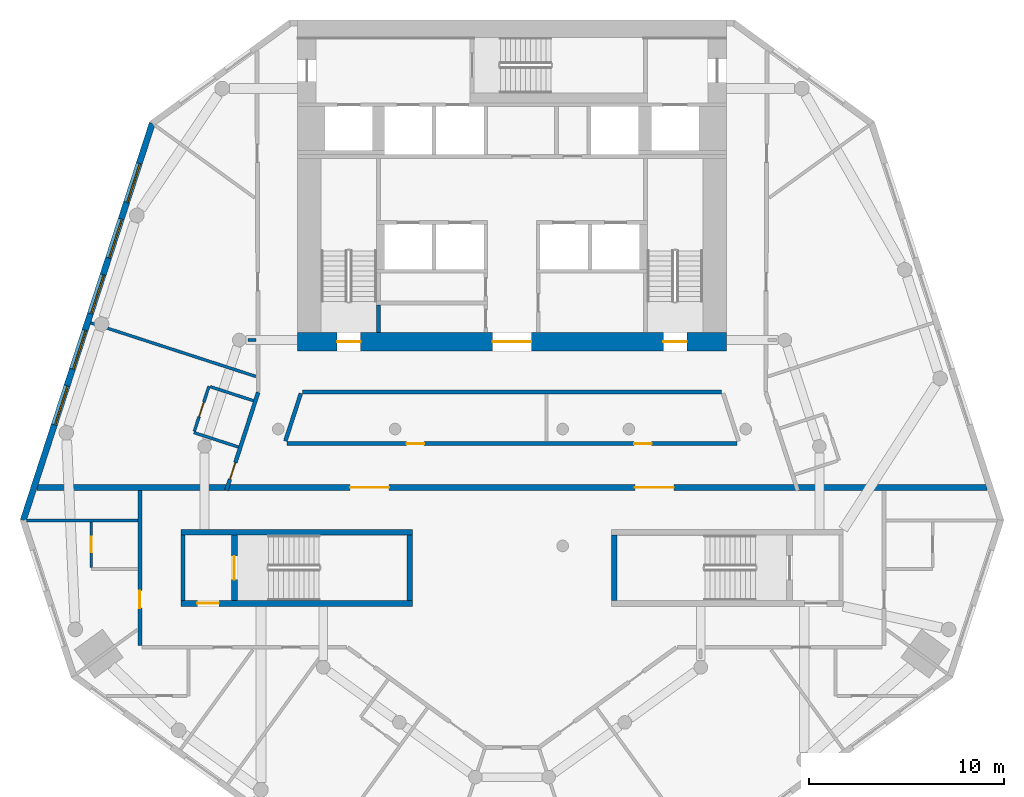
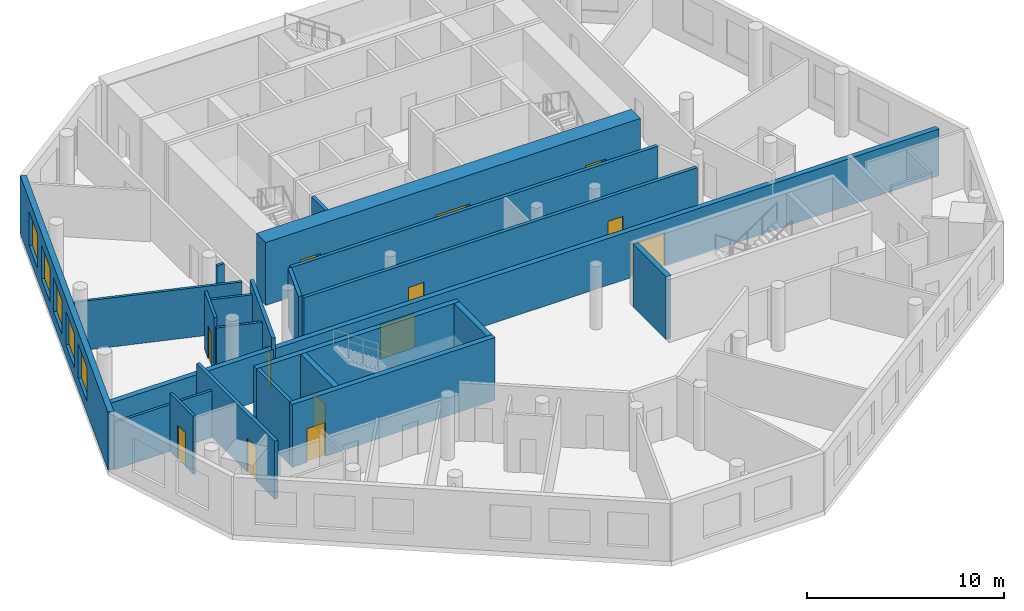
# One storey, part 3 of 9: 22 walls, 13 doors, 5 windows, 18 openings.
"""IFC4 building model written with IfcOpenShell, lengths in metres."""

from ifc_helpers import new_model, si_unit, direction, frame, frame_2d, origin, place, context, subcontext, project, spatial, rectangle, extrude, material, layer, layer_set, type_object, element, fill, save


model = new_model("IFC4")

# Units and contexts
model_context = context("Model", 3, precision=1e-05, world=origin(), true_north=direction((0.0, 1.0)))
body_context = subcontext(model_context, "Body", "Model", "MODEL_VIEW")
ifc_project = project(units=[si_unit("LENGTHUNIT", "METRE"), si_unit("AREAUNIT", "SQUARE_METRE"), si_unit("VOLUMEUNIT", "CUBIC_METRE"), si_unit("PLANEANGLEUNIT", "RADIAN"), si_unit("MASSUNIT", "GRAM", prefix="KILO")], contexts=[model_context])

# Site, building, storey
site_placement = place(None, origin())
site = spatial("IfcSite", under=ifc_project, at=site_placement, CompositionType="ELEMENT")
building_placement = place(site_placement, origin())
building = spatial("IfcBuilding", under=site, at=building_placement, Name="White Candle Pilgrim Tower", CompositionType="ELEMENT")
storey_placement = place(building_placement, frame((0.0, 0.0, 175.89990234375)))
storey = spatial("IfcBuildingStorey", under=building, at=storey_placement, Name="L40", CompositionType="ELEMENT", Elevation=175.89990234375)

# Wall
ifc_material_1 = material(Name="Concrete C60/75", Category="concrete")
ifc_layer_1 = layer(ifc_material_1, 0.199951171875)
ifc_layer_set_1 = layer_set([ifc_layer_1], Name="Core wall 200 mm Concrete C60/75")
wall_type_1 = type_object("IfcWallType", Name="Core wall 200 mm Concrete C60/75", PredefinedType="SHEAR", material=ifc_layer_set_1)
wall_1_placement = place(storey_placement, frame((53.10009765625, 58.199951171875, 0.0), z_axis=(0.0, 0.0, 1.0), x_axis=(0.0, 1.0, 0.0)))
element("IfcWall", 1, at=wall_1_placement, inside=storey, type_object=wall_type_1, Name="WL-L40-C03", PredefinedType="SHEAR", context=body_context, shape_type="SweptSolid", body=[
    extrude(rectangle(XDim=3.35009765625, YDim=0.199951171875, at=frame_2d((1.675048828125, 0.0))), origin(), (0.0, 0.0, 1.0), 3.900146484375),
])

# Wall, opening, door
ifc_material_2 = material(Name="Gypsum board on steel studs", Category="steel")
ifc_layer_2 = layer(ifc_material_2, 0.199951171875)
ifc_layer_set_2 = layer_set([ifc_layer_2], Name="Corridor wall 200 mm EI 45")
wall_type_2 = type_object("IfcWallType", Name="Corridor wall 200 mm EI 45", PredefinedType="PARTITIONING", material=ifc_layer_set_2)
wall_2_placement = place(storey_placement, frame((55.334716796875, 63.85009765625, 0.0), z_axis=(0.0, 0.0, 1.0), x_axis=(0.308996388153, 0.951063211416, 0.0)))
wall_2 = element("IfcWall", 2, at=wall_2_placement, inside=storey, type_object=wall_type_2, Name="WL-L40-P002", PredefinedType="PARTITIONING", context=body_context, shape_type="SweptSolid", body=[
    extrude(rectangle(XDim=5.293701171875, YDim=0.199951171875, at=frame_2d((2.64697265625, 0.0))), origin(), (0.0, 0.0, 1.0), 3.60009765625),
])
opening_1_placement = place(wall_2_placement, frame((0.60009765625, 0.0, 0.0)))
opening_1 = element("IfcOpeningElement", 3, at=opening_1_placement, cuts=wall_2, Name="Opening T12-122", PredefinedType="OPENING", context=body_context, shape_type="SweptSolid", body=[
    extrude(rectangle(XDim=0.89990234375, YDim=2.10009765625, at=frame_2d((0.449951171875, 1.050048828125))), frame((0.0, 0.10986328125, 0.0), z_axis=(0.0, -1.0, 0.0), x_axis=(1.0, 0.0, 0.0)), (0.0, 0.0, 1.0), 0.219970703125),
])
ifc_material_3 = material(Name="Steel door leaf", Category="steel")
door_type_1 = type_object("IfcDoorType", Name="Fire door 900 x 2100 EI 30", OperationType="NOTDEFINED", PredefinedType="DOOR", material=ifc_material_3)
door_1_placement = place(opening_1_placement, origin())
door_1 = element("IfcDoor", 4, at=door_1_placement, inside=storey, type_object=door_type_1, Name="Door T12-122", OperationType="SINGLE_SWING_RIGHT", OverallHeight=2.10009765625, OverallWidth=0.89990234375, PredefinedType="DOOR", context=body_context, shape_type="SweptSolid", body=[
    extrude(rectangle(XDim=0.89990234375, YDim=2.10009765625, at=frame_2d((0.449951171875, 1.050048828125))), frame((0.0, 0.02490234375, 0.0), z_axis=(0.0, -1.0, 0.0), x_axis=(1.0, 0.0, 0.0)), (0.0, 0.0, 1.0), 0.050048828125),
])
fill(opening_1, door_1)

wall_3_placement = place(storey_placement, frame((50.89990234375, 55.89990234375, 0.0), z_axis=(0.0, 0.0, 1.0), x_axis=(0.0, 1.0, 0.0)))
wall_3 = element("IfcWall", 5, at=wall_3_placement, inside=storey, type_object=wall_type_2, Name="WL-L40-P012", PredefinedType="PARTITIONING", context=body_context, shape_type="SweptSolid", body=[
    extrude(rectangle(XDim=7.9501953125, YDim=0.199951171875, at=frame_2d((3.97509765625, 0.0))), origin(), (0.0, 0.0, 1.0), 3.60009765625),
])
opening_2_placement = place(wall_3_placement, frame((1.90478515625, 0.0, 0.0)))
opening_2 = element("IfcOpeningElement", 6, at=opening_2_placement, cuts=wall_3, Name="Opening T12-103", PredefinedType="OPENING", context=body_context, shape_type="SweptSolid", body=[
    extrude(rectangle(XDim=0.89990234375, YDim=2.10009765625, at=frame_2d((0.449951171875, 1.050048828125))), frame((0.0, 0.10986328125, 0.0), z_axis=(0.0, -1.0, 0.0), x_axis=(1.0, 0.0, 0.0)), (0.0, 0.0, 1.0), 0.219970703125),
])
door_2_placement = place(opening_2_placement, origin())
door_2 = element("IfcDoor", 7, at=door_2_placement, inside=storey, type_object=door_type_1, Name="Door T12-103", OperationType="SINGLE_SWING_LEFT", OverallHeight=2.10009765625, OverallWidth=0.89990234375, PredefinedType="DOOR", context=body_context, shape_type="SweptSolid", body=[
    extrude(rectangle(XDim=0.89990234375, YDim=2.10009765625, at=frame_2d((0.449951171875, 1.050048828125))), frame((0.0, 0.02490234375, 0.0), z_axis=(0.0, -1.0, 0.0), x_axis=(1.0, 0.0, 0.0)), (0.0, 0.0, 1.0), 0.050048828125),
])
fill(opening_2, door_2)

# Wall
wall_4_placement = place(storey_placement, frame((59.1611328125, 68.830810546875, 0.0), z_axis=(0.0, 0.0, 1.0), x_axis=(-0.309053927645, -0.951044515155, 0.0)))
element("IfcWall", 8, at=wall_4_placement, inside=storey, type_object=wall_type_2, Name="WL-L40-P013", PredefinedType="PARTITIONING", context=body_context, shape_type="SweptSolid", body=[
    extrude(rectangle(XDim=2.576171875, YDim=0.199951171875, at=frame_2d((1.2880859375, 0.0))), origin(), (0.0, 0.0, 1.0), 3.60009765625),
])

# Wall, openings, doors
wall_5_placement = place(storey_placement, frame((58.460205078125, 66.25, 0.0), z_axis=(0.0, 0.0, 1.0), x_axis=(1.0, 0.0, 0.0)))
wall_5 = element("IfcWall", 9, at=wall_5_placement, inside=storey, type_object=wall_type_2, Name="WL-L40-P014", PredefinedType="PARTITIONING", context=body_context, shape_type="SweptSolid", body=[
    extrude(rectangle(XDim=23.07958984375, YDim=0.199951171875, at=frame_2d((11.539794921875, 0.0))), origin(), (0.0, 0.0, 1.0), 3.60009765625),
])
opening_3_placement = place(wall_5_placement, frame((6.131591796875, 0.0, 0.0)))
opening_3 = element("IfcOpeningElement", 10, at=opening_3_placement, cuts=wall_5, Name="Opening T12-120", PredefinedType="OPENING", context=body_context, shape_type="SweptSolid", body=[
    extrude(rectangle(XDim=0.89990234375, YDim=2.10009765625, at=frame_2d((0.449951171875, 1.050048828125))), frame((0.0, 0.10986328125, 0.0), z_axis=(0.0, -1.0, 0.0), x_axis=(1.0, 0.0, 0.0)), (0.0, 0.0, 1.0), 0.219970703125),
])
opening_4_placement = place(wall_5_placement, frame((17.80908203125, 0.0, 0.0)))
opening_4 = element("IfcOpeningElement", 11, at=opening_4_placement, cuts=wall_5, Name="Opening T12-121", PredefinedType="OPENING", context=body_context, shape_type="SweptSolid", body=[
    extrude(rectangle(XDim=0.89990234375, YDim=2.10009765625, at=frame_2d((0.449951171875, 1.050048828125))), frame((0.0, 0.10986328125, 0.0), z_axis=(0.0, -1.0, 0.0), x_axis=(1.0, 0.0, 0.0)), (0.0, 0.0, 1.0), 0.219970703125),
])
door_3_placement = place(opening_3_placement, origin())
door_3 = element("IfcDoor", 12, at=door_3_placement, inside=storey, type_object=door_type_1, Name="Door T12-120", OperationType="SINGLE_SWING_RIGHT", OverallHeight=2.10009765625, OverallWidth=0.89990234375, PredefinedType="DOOR", context=body_context, shape_type="SweptSolid", body=[
    extrude(rectangle(XDim=0.89990234375, YDim=2.10009765625, at=frame_2d((0.449951171875, 1.050048828125))), frame((0.0, 0.02490234375, 0.0), z_axis=(0.0, -1.0, 0.0), x_axis=(1.0, 0.0, 0.0)), (0.0, 0.0, 1.0), 0.050048828125),
])
fill(opening_3, door_3)
door_4_placement = place(opening_4_placement, origin())
door_4 = element("IfcDoor", 13, at=door_4_placement, inside=storey, type_object=door_type_1, Name="Door T12-121", OperationType="SINGLE_SWING_RIGHT", OverallHeight=2.10009765625, OverallWidth=0.89990234375, PredefinedType="DOOR", context=body_context, shape_type="SweptSolid", body=[
    extrude(rectangle(XDim=0.89990234375, YDim=2.10009765625, at=frame_2d((0.449951171875, 1.050048828125))), frame((0.0, 0.02490234375, 0.0), z_axis=(0.0, -1.0, 0.0), x_axis=(1.0, 0.0, 0.0)), (0.0, 0.0, 1.0), 0.050048828125),
])
fill(opening_4, door_4)

# Wall
wall_6_placement = place(storey_placement, frame((80.743896484375, 68.89990234375, 0.0), z_axis=(0.0, 0.0, 1.0), x_axis=(-1.0, 0.0, 0.0)))
element("IfcWall", 14, at=wall_6_placement, inside=storey, type_object=wall_type_2, Name="WL-L40-P016", PredefinedType="PARTITIONING", context=body_context, shape_type="SweptSolid", body=[
    extrude(rectangle(XDim=21.48779296875, YDim=0.199951171875, at=frame_2d((10.743896484375, 0.0))), origin(), (0.0, 0.0, 1.0), 3.60009765625),
])

# Wall, openings, windows
ifc_material_4 = material(Name="Precast concrete C40/50", Category="concrete")
ifc_layer_3 = layer(ifc_material_4, 0.320068359375)
ifc_layer_set_3 = layer_set([ifc_layer_3], Name="Facade wall EW1 precast concrete C40/50 pier wall with timber-lined reveals")
wall_type_3 = type_object("IfcWallType", Name="Facade wall EW1 precast concrete C40/50 pier wall with timber-lined reveals", PredefinedType="SOLIDWALL", material=ifc_layer_set_3)
wall_7_placement = place(storey_placement, frame((51.531494140625, 82.693603515625, 0.0), z_axis=(0.0, 0.0, 1.0), x_axis=(-0.309016769675, -0.951056589304, 0.0)))
wall_7 = element("IfcWall", 15, at=wall_7_placement, inside=storey, type_object=wall_type_3, Name="Facade wall L40 WNW", PredefinedType="SOLIDWALL", context=body_context, shape_type="SweptSolid", body=[
    extrude(rectangle(XDim=21.427978515625, YDim=0.320068359375, at=frame_2d((10.7138671875, 0.0))), origin(), (0.0, 0.0, 1.0), 3.60009765625),
])
opening_5_placement = place(wall_7_placement, frame((2.163818359375, 0.0, 0.75)))
opening_5 = element("IfcOpeningElement", 16, at=opening_5_placement, cuts=wall_7, Name="Opening W3", PredefinedType="OPENING", context=body_context, shape_type="SweptSolid", body=[
    extrude(rectangle(XDim=2.10009765625, YDim=2.10009765625, at=frame_2d((1.050048828125, 1.050048828125))), frame((0.0, 0.169921875, 0.0), z_axis=(0.0, -1.0, 0.0), x_axis=(1.0, 0.0, 0.0)), (0.0, 0.0, 1.0), 0.340087890625),
])
opening_6_placement = place(wall_7_placement, frame((5.163818359375, 0.0, 0.75)))
opening_6 = element("IfcOpeningElement", 17, at=opening_6_placement, cuts=wall_7, Name="Opening W3", PredefinedType="OPENING", context=body_context, shape_type="SweptSolid", body=[
    extrude(rectangle(XDim=2.10009765625, YDim=2.10009765625, at=frame_2d((1.050048828125, 1.050048828125))), frame((0.0, 0.169921875, 0.0), z_axis=(0.0, -1.0, 0.0), x_axis=(1.0, 0.0, 0.0)), (0.0, 0.0, 1.0), 0.340087890625),
])
opening_7_placement = place(wall_7_placement, frame((8.163818359375, 0.0, 0.75)))
opening_7 = element("IfcOpeningElement", 18, at=opening_7_placement, cuts=wall_7, Name="Opening W3", PredefinedType="OPENING", context=body_context, shape_type="SweptSolid", body=[
    extrude(rectangle(XDim=2.10009765625, YDim=2.10009765625, at=frame_2d((1.050048828125, 1.050048828125))), frame((0.0, 0.169921875, 0.0), z_axis=(0.0, -1.0, 0.0), x_axis=(1.0, 0.0, 0.0)), (0.0, 0.0, 1.0), 0.340087890625),
])
opening_8_placement = place(wall_7_placement, frame((11.163818359375, 0.0, 0.75)))
opening_8 = element("IfcOpeningElement", 19, at=opening_8_placement, cuts=wall_7, Name="Opening W3", PredefinedType="OPENING", context=body_context, shape_type="SweptSolid", body=[
    extrude(rectangle(XDim=2.10009765625, YDim=2.10009765625, at=frame_2d((1.050048828125, 1.050048828125))), frame((0.0, 0.169921875, 0.0), z_axis=(0.0, -1.0, 0.0), x_axis=(1.0, 0.0, 0.0)), (0.0, 0.0, 1.0), 0.340087890625),
])
opening_9_placement = place(wall_7_placement, frame((14.163818359375, 0.0, 0.75)))
opening_9 = element("IfcOpeningElement", 20, at=opening_9_placement, cuts=wall_7, Name="Opening W3", PredefinedType="OPENING", context=body_context, shape_type="SweptSolid", body=[
    extrude(rectangle(XDim=2.10009765625, YDim=2.10009765625, at=frame_2d((1.050048828125, 1.050048828125))), frame((0.0, 0.169921875, 0.0), z_axis=(0.0, -1.0, 0.0), x_axis=(1.0, 0.0, 0.0)), (0.0, 0.0, 1.0), 0.340087890625),
])
ifc_material_5 = material(Name="Timber frame with triple glazing", Category="wood")
window_type = type_object("IfcWindowType", Name="Window W3 2100x2100 timber frame triple glazing", PartitioningType="SINGLE_PANEL", PredefinedType="WINDOW", material=ifc_material_5)
window_1_placement = place(opening_5_placement, origin())
window_1 = element("IfcWindow", 21, at=window_1_placement, inside=storey, type_object=window_type, Name="Window W3 L40 WNW 1", OverallHeight=2.10009765625, OverallWidth=2.10009765625, PartitioningType="SINGLE_PANEL", PredefinedType="WINDOW", context=body_context, shape_type="SweptSolid", body=[
    extrude(rectangle(XDim=2.10009765625, YDim=2.10009765625, at=frame_2d((1.050048828125, 1.050048828125))), frame((0.0, 0.070068359375, 0.0), z_axis=(0.0, -1.0, 0.0), x_axis=(1.0, 0.0, 0.0)), (0.0, 0.0, 1.0), 0.06005859375),
])
fill(opening_5, window_1)
window_2_placement = place(opening_6_placement, origin())
window_2 = element("IfcWindow", 22, at=window_2_placement, inside=storey, type_object=window_type, Name="Window W3 L40 WNW 2", OverallHeight=2.10009765625, OverallWidth=2.10009765625, PartitioningType="SINGLE_PANEL", PredefinedType="WINDOW", context=body_context, shape_type="SweptSolid", body=[
    extrude(rectangle(XDim=2.10009765625, YDim=2.10009765625, at=frame_2d((1.050048828125, 1.050048828125))), frame((0.0, 0.070068359375, 0.0), z_axis=(0.0, -1.0, 0.0), x_axis=(1.0, 0.0, 0.0)), (0.0, 0.0, 1.0), 0.06005859375),
])
fill(opening_6, window_2)
window_3_placement = place(opening_7_placement, origin())
window_3 = element("IfcWindow", 23, at=window_3_placement, inside=storey, type_object=window_type, Name="Window W3 L40 WNW 3", OverallHeight=2.10009765625, OverallWidth=2.10009765625, PartitioningType="SINGLE_PANEL", PredefinedType="WINDOW", context=body_context, shape_type="SweptSolid", body=[
    extrude(rectangle(XDim=2.10009765625, YDim=2.10009765625, at=frame_2d((1.050048828125, 1.050048828125))), frame((0.0, 0.070068359375, 0.0), z_axis=(0.0, -1.0, 0.0), x_axis=(1.0, 0.0, 0.0)), (0.0, 0.0, 1.0), 0.06005859375),
])
fill(opening_7, window_3)
window_4_placement = place(opening_8_placement, origin())
window_4 = element("IfcWindow", 24, at=window_4_placement, inside=storey, type_object=window_type, Name="Window W3 L40 WNW 4", OverallHeight=2.10009765625, OverallWidth=2.10009765625, PartitioningType="SINGLE_PANEL", PredefinedType="WINDOW", context=body_context, shape_type="SweptSolid", body=[
    extrude(rectangle(XDim=2.10009765625, YDim=2.10009765625, at=frame_2d((1.050048828125, 1.050048828125))), frame((0.0, 0.070068359375, 0.0), z_axis=(0.0, -1.0, 0.0), x_axis=(1.0, 0.0, 0.0)), (0.0, 0.0, 1.0), 0.06005859375),
])
fill(opening_8, window_4)
window_5_placement = place(opening_9_placement, origin())
window_5 = element("IfcWindow", 25, at=window_5_placement, inside=storey, type_object=window_type, Name="Window W3 L40 WNW 5", OverallHeight=2.10009765625, OverallWidth=2.10009765625, PartitioningType="SINGLE_PANEL", PredefinedType="WINDOW", context=body_context, shape_type="SweptSolid", body=[
    extrude(rectangle(XDim=2.10009765625, YDim=2.10009765625, at=frame_2d((1.050048828125, 1.050048828125))), frame((0.0, 0.070068359375, 0.0), z_axis=(0.0, -1.0, 0.0), x_axis=(1.0, 0.0, 0.0)), (0.0, 0.0, 1.0), 0.06005859375),
])
fill(opening_9, window_5)

# Wall, openings, doors
ifc_material_6 = material(Name="Aerated concrete block", Category="concrete")
ifc_layer_4 = layer(ifc_material_6, 0.300048828125)
ifc_layer_set_4 = layer_set([ifc_layer_4], Name="Fire wall 300 mm REI 240")
wall_type_4 = type_object("IfcWallType", Name="Fire wall 300 mm REI 240", PredefinedType="PARTITIONING", material=ifc_layer_set_4)
wall_8_placement = place(storey_placement, frame((45.625732421875, 64.0, 0.0), z_axis=(0.0, 0.0, 1.0), x_axis=(1.0, 0.0, 0.0)))
wall_8 = element("IfcWall", 26, at=wall_8_placement, inside=storey, type_object=wall_type_4, Name="WL-L40-P001", PredefinedType="PARTITIONING", context=body_context, shape_type="SweptSolid", body=[
    extrude(rectangle(XDim=48.74853515625, YDim=0.300048828125, at=frame_2d((24.374267578125, 0.0))), origin(), (0.0, 0.0, 1.0), 2.900146484375),
])
opening_10_placement = place(wall_8_placement, frame((16.06591796875, 0.0, 0.0)))
opening_10 = element("IfcOpeningElement", 27, at=opening_10_placement, cuts=wall_8, Name="Opening T12-118", PredefinedType="OPENING", context=body_context, shape_type="SweptSolid", body=[
    extrude(rectangle(XDim=2.0, YDim=2.10009765625, at=frame_2d((1.0, 1.050048828125))), frame((0.0, 0.159912109375, 0.0), z_axis=(0.0, -1.0, 0.0), x_axis=(1.0, 0.0, 0.0)), (0.0, 0.0, 1.0), 0.320068359375),
])
opening_11_placement = place(wall_8_placement, frame((30.6826171875, 0.0, 0.0)))
opening_11 = element("IfcOpeningElement", 28, at=opening_11_placement, cuts=wall_8, Name="Opening T12-119", PredefinedType="OPENING", context=body_context, shape_type="SweptSolid", body=[
    extrude(rectangle(XDim=2.0, YDim=2.10009765625, at=frame_2d((1.0, 1.050048828125))), frame((0.0, 0.159912109375, 0.0), z_axis=(0.0, -1.0, 0.0), x_axis=(1.0, 0.0, 0.0)), (0.0, 0.0, 1.0), 0.320068359375),
])
door_type_2 = type_object("IfcDoorType", Name="Fire door 2000 x 2100 EI 60", OperationType="NOTDEFINED", PredefinedType="DOOR", material=ifc_material_3)
door_5_placement = place(opening_10_placement, origin())
door_5 = element("IfcDoor", 29, at=door_5_placement, inside=storey, type_object=door_type_2, Name="Door T12-118", OperationType="DOUBLE_DOOR_SINGLE_SWING", OverallHeight=2.10009765625, OverallWidth=2.0, PredefinedType="DOOR", context=body_context, shape_type="SweptSolid", body=[
    extrude(rectangle(XDim=2.0, YDim=2.10009765625, at=frame_2d((1.0, 1.050048828125))), frame((0.0, 0.02490234375, 0.0), z_axis=(0.0, -1.0, 0.0), x_axis=(1.0, 0.0, 0.0)), (0.0, 0.0, 1.0), 0.050048828125),
])
fill(opening_10, door_5)
door_6_placement = place(opening_11_placement, origin())
door_6 = element("IfcDoor", 30, at=door_6_placement, inside=storey, type_object=door_type_2, Name="Door T12-119", OperationType="DOUBLE_DOOR_SINGLE_SWING", OverallHeight=2.10009765625, OverallWidth=2.0, PredefinedType="DOOR", context=body_context, shape_type="SweptSolid", body=[
    extrude(rectangle(XDim=2.0, YDim=2.10009765625, at=frame_2d((1.0, 1.050048828125))), frame((0.0, 0.02490234375, 0.0), z_axis=(0.0, -1.0, 0.0), x_axis=(1.0, 0.0, 0.0)), (0.0, 0.0, 1.0), 0.050048828125),
])
fill(opening_11, door_6)

# Walls
ifc_layer_5 = layer(ifc_material_2, 0.14990234375)
ifc_layer_set_5 = layer_set([ifc_layer_5], Name="Partition 150 mm EI 60")
wall_type_5 = type_object("IfcWallType", Name="Partition 150 mm EI 60", PredefinedType="PARTITIONING", material=ifc_layer_set_5)
wall_9_placement = place(storey_placement, frame((45.078125, 62.314453125, 0.0), z_axis=(0.0, 0.0, 1.0), x_axis=(1.0, 0.0, 0.0)))
element("IfcWall", 31, at=wall_9_placement, inside=storey, type_object=wall_type_5, Name="WL-L40-P018", PredefinedType="PARTITIONING", context=body_context, shape_type="SweptSolid", body=[
    extrude(rectangle(XDim=5.721923828125, YDim=0.14990234375, at=frame_2d((2.86083984375, 0.0))), origin(), (0.0, 0.0, 1.0), 2.900146484375),
])
wall_10_placement = place(storey_placement, frame((48.372802734375, 72.45458984375, 0.0), z_axis=(0.0, 0.0, 1.0), x_axis=(0.951055809184, -0.30901917063, 0.0)))
element("IfcWall", 32, at=wall_10_placement, inside=storey, type_object=wall_type_5, Name="WL-L40-P025", PredefinedType="PARTITIONING", context=body_context, shape_type="SweptSolid", body=[
    extrude(rectangle(XDim=8.911865234375, YDim=0.14990234375, at=frame_2d((4.4560546875, 0.0))), origin(), (0.0, 0.0, 1.0), 3.050048828125),
])
wall_11_placement = place(storey_placement, frame((55.953369140625, 66.07763671875, 0.0), z_axis=(0.0, 0.0, 1.0), x_axis=(-0.951046776628, 0.309046968381, 0.0)))
element("IfcWall", 33, at=wall_11_placement, inside=storey, type_object=wall_type_5, Name="WL-L40-P026", PredefinedType="PARTITIONING", context=body_context, shape_type="SweptSolid", body=[
    extrude(rectangle(XDim=2.39990234375, YDim=0.14990234375, at=frame_2d((1.199951171875, 0.0))), origin(), (0.0, 0.0, 1.0), 3.050048828125),
])

# Wall, opening, door
wall_12_placement = place(storey_placement, frame((54.443359375, 69.197021484375, 0.0), z_axis=(0.0, 0.0, 1.0), x_axis=(-0.308969972841, -0.951071793233, 0.0)))
wall_12 = element("IfcWall", 34, at=wall_12_placement, inside=storey, type_object=wall_type_5, Name="WL-L40-P027", PredefinedType="PARTITIONING", context=body_context, shape_type="SweptSolid", body=[
    extrude(rectangle(XDim=2.425048828125, YDim=0.14990234375, at=frame_2d((1.21240234375, 0.0))), origin(), (0.0, 0.0, 1.0), 3.60009765625),
])
opening_12_placement = place(wall_12_placement, frame((0.85009765625, 0.0, 0.0)))
opening_12 = element("IfcOpeningElement", 35, at=opening_12_placement, cuts=wall_12, Name="Opening T12-101", PredefinedType="OPENING", context=body_context, shape_type="SweptSolid", body=[
    extrude(rectangle(XDim=0.800048828125, YDim=2.10009765625, at=frame_2d((0.39990234375, 1.050048828125))), frame((0.0, 0.0849609375, 0.0), z_axis=(0.0, -1.0, 0.0), x_axis=(1.0, 0.0, 0.0)), (0.0, 0.0, 1.0), 0.169921875),
])
door_type_3 = type_object("IfcDoorType", Name="Fire door 800 x 2100 EI 30", OperationType="NOTDEFINED", PredefinedType="DOOR", material=ifc_material_3)
door_7_placement = place(opening_12_placement, frame((0.800048828125, 0.0, 0.0), z_axis=(0.0, 0.0, 1.0), x_axis=(-1.0, 0.0, 0.0)))
door_7 = element("IfcDoor", 36, at=door_7_placement, inside=storey, type_object=door_type_3, Name="Door T12-101", OperationType="SINGLE_SWING_RIGHT", OverallHeight=2.10009765625, OverallWidth=0.800048828125, PredefinedType="DOOR", context=body_context, shape_type="SweptSolid", body=[
    extrude(rectangle(XDim=0.800048828125, YDim=2.10009765625, at=frame_2d((0.39990234375, 1.050048828125))), frame((0.0, 0.02490234375, 0.0), z_axis=(0.0, -1.0, 0.0), x_axis=(1.0, 0.0, 0.0)), (0.0, 0.0, 1.0), 0.050048828125),
])
fill(opening_12, door_7)

# Wall
wall_13_placement = place(storey_placement, frame((56.725830078125, 68.455322265625, 0.0), z_axis=(0.0, 0.0, 1.0), x_axis=(-0.951050272606, 0.309036209813, 0.0)))
element("IfcWall", 37, at=wall_13_placement, inside=storey, type_object=wall_type_5, Name="WL-L40-P028", PredefinedType="PARTITIONING", context=body_context, shape_type="SweptSolid", body=[
    extrude(rectangle(XDim=2.324951171875, YDim=0.14990234375, at=frame_2d((1.16259765625, 0.0))), origin(), (0.0, 0.0, 1.0), 3.050048828125),
])

# Wall, opening, door
wall_14_placement = place(storey_placement, frame((48.39990234375, 62.239501953125, 0.0), z_axis=(0.0, 0.0, 1.0), x_axis=(0.0, -1.0, 0.0)))
wall_14 = element("IfcWall", 38, at=wall_14_placement, inside=storey, type_object=wall_type_5, Name="WL-L40-P030", PredefinedType="PARTITIONING", context=body_context, shape_type="SweptSolid", body=[
    extrude(rectangle(XDim=2.35009765625, YDim=0.14990234375, at=frame_2d((1.175048828125, 0.0))), origin(), (0.0, 0.0, 1.0), 3.60009765625),
])
opening_13_placement = place(wall_14_placement, frame((0.77490234375, 0.0, 0.0)))
opening_13 = element("IfcOpeningElement", 39, at=opening_13_placement, cuts=wall_14, Name="Opening T12-102", PredefinedType="OPENING", context=body_context, shape_type="SweptSolid", body=[
    extrude(rectangle(XDim=0.800048828125, YDim=2.10009765625, at=frame_2d((0.39990234375, 1.050048828125))), frame((0.0, 0.0849609375, 0.0), z_axis=(0.0, -1.0, 0.0), x_axis=(1.0, 0.0, 0.0)), (0.0, 0.0, 1.0), 0.169921875),
])
door_8_placement = place(opening_13_placement, frame((0.800048828125, 0.0, 0.0), z_axis=(0.0, 0.0, 1.0), x_axis=(-1.0, 0.0, 0.0)))
door_8 = element("IfcDoor", 40, at=door_8_placement, inside=storey, type_object=door_type_3, Name="Door T12-102", OperationType="SINGLE_SWING_LEFT", OverallHeight=2.10009765625, OverallWidth=0.800048828125, PredefinedType="DOOR", context=body_context, shape_type="SweptSolid", body=[
    extrude(rectangle(XDim=0.800048828125, YDim=2.10009765625, at=frame_2d((0.39990234375, 1.050048828125))), frame((0.0, 0.02490234375, 0.0), z_axis=(0.0, -1.0, 0.0), x_axis=(1.0, 0.0, 0.0)), (0.0, 0.0, 1.0), 0.050048828125),
])
fill(opening_13, door_8)

# Walls
wall_15_placement = place(storey_placement, frame((56.43994140625, 71.572509765625, 0.0), z_axis=(0.0, 0.0, 1.0), x_axis=(0.999991879904, 0.004029903949, 0.0)))
element("IfcWall", 41, at=wall_15_placement, inside=storey, type_object=wall_type_5, Name="WL-L40-P054", PredefinedType="PARTITIONING", context=body_context, shape_type="SweptSolid", body=[
    extrude(rectangle(XDim=0.424072265625, YDim=0.14990234375, at=frame_2d((0.2119140625, 0.0))), origin(), (0.0, 0.0, 1.0), 3.050048828125),
])
ifc_layer_6 = layer(ifc_material_1, 0.199951171875)
ifc_layer_set_6 = layer_set([ifc_layer_6], Name="Stair shaft wall 200 mm Concrete C60/75")
wall_type_6 = type_object("IfcWallType", Name="Stair shaft wall 200 mm Concrete C60/75", PredefinedType="SHEAR", material=ifc_layer_set_6)
wall_16_placement = place(storey_placement, frame((63.14990234375, 71.949951171875, 0.0), z_axis=(0.0, 0.0, 1.0), x_axis=(0.0, 1.0, 0.0)))
element("IfcWall", 42, at=wall_16_placement, inside=storey, type_object=wall_type_6, Name="WL-L40-C13", PredefinedType="SHEAR", context=body_context, shape_type="SweptSolid", body=[
    extrude(rectangle(XDim=1.425048828125, YDim=0.199951171875, at=frame_2d((0.71240234375, 0.0))), origin(), (0.0, 0.0, 1.0), 3.900146484375),
])

# Wall, opening, door
ifc_layer_7 = layer(ifc_material_1, 0.300048828125)
ifc_layer_set_7 = layer_set([ifc_layer_7], Name="Stair shaft wall 300 mm Concrete C60/75")
wall_type_7 = type_object("IfcWallType", Name="Stair shaft wall 300 mm Concrete C60/75", PredefinedType="SHEAR", material=ifc_layer_set_7)
wall_17_placement = place(storey_placement, frame((53.0, 58.050048828125, 0.0), z_axis=(0.0, 0.0, 1.0), x_axis=(1.0, 0.0, 0.0)))
wall_17 = element("IfcWall", 43, at=wall_17_placement, inside=storey, type_object=wall_type_7, Name="WL-L40-C01", PredefinedType="SHEAR", context=body_context, shape_type="SweptSolid", body=[
    extrude(rectangle(XDim=11.89990234375, YDim=0.300048828125, at=frame_2d((5.949951171875, 0.0))), origin(), (0.0, 0.0, 1.0), 3.900146484375),
])
opening_14_placement = place(wall_17_placement, frame((0.85009765625, 0.0, 0.0)))
opening_14 = element("IfcOpeningElement", 44, at=opening_14_placement, cuts=wall_17, Name="Opening T12-010", PredefinedType="OPENING", context=body_context, shape_type="SweptSolid", body=[
    extrude(rectangle(XDim=1.10009765625, YDim=2.10009765625, at=frame_2d((0.550048828125, 1.050048828125))), frame((0.0, 0.159912109375, 0.0), z_axis=(0.0, -1.0, 0.0), x_axis=(1.0, 0.0, 0.0)), (0.0, 0.0, 1.0), 0.320068359375),
])
door_type_4 = type_object("IfcDoorType", Name="Fire door 1100 x 2100 EI 60", OperationType="NOTDEFINED", PredefinedType="DOOR", material=ifc_material_3)
door_9_placement = place(opening_14_placement, origin())
door_9 = element("IfcDoor", 45, at=door_9_placement, inside=storey, type_object=door_type_4, Name="Door T12-010", OperationType="SINGLE_SWING_RIGHT", OverallHeight=2.10009765625, OverallWidth=1.10009765625, PredefinedType="DOOR", context=body_context, shape_type="SweptSolid", body=[
    extrude(rectangle(XDim=1.10009765625, YDim=2.10009765625, at=frame_2d((0.550048828125, 1.050048828125))), frame((0.0, 0.02490234375, 0.0), z_axis=(0.0, -1.0, 0.0), x_axis=(1.0, 0.0, 0.0)), (0.0, 0.0, 1.0), 0.050048828125),
])
fill(opening_14, door_9)

wall_18_placement = place(storey_placement, frame((55.75, 58.199951171875, 0.0), z_axis=(0.0, 0.0, 1.0), x_axis=(0.0, 1.0, 0.0)))
wall_18 = element("IfcWall", 46, at=wall_18_placement, inside=storey, type_object=wall_type_7, Name="WL-L40-C04", PredefinedType="SHEAR", context=body_context, shape_type="SweptSolid", body=[
    extrude(rectangle(XDim=3.35009765625, YDim=0.300048828125, at=frame_2d((1.675048828125, 0.0))), origin(), (0.0, 0.0, 1.0), 3.900146484375),
])
opening_15_placement = place(wall_18_placement, frame((1.074951171875, 0.0, 0.0)))
opening_15 = element("IfcOpeningElement", 47, at=opening_15_placement, cuts=wall_18, Name="Opening T12-011", PredefinedType="OPENING", context=body_context, shape_type="SweptSolid", body=[
    extrude(rectangle(XDim=1.199951171875, YDim=2.10009765625, at=frame_2d((0.60009765625, 1.050048828125))), frame((0.0, 0.159912109375, 0.0), z_axis=(0.0, -1.0, 0.0), x_axis=(1.0, 0.0, 0.0)), (0.0, 0.0, 1.0), 0.320068359375),
])
door_type_5 = type_object("IfcDoorType", Name="Fire door 1200 x 2100 EI 60", OperationType="NOTDEFINED", PredefinedType="DOOR", material=ifc_material_3)
door_10_placement = place(opening_15_placement, frame((1.199951171875, 0.0, 0.0), z_axis=(0.0, 0.0, 1.0), x_axis=(-1.0, 0.0, 0.0)))
door_10 = element("IfcDoor", 48, at=door_10_placement, inside=storey, type_object=door_type_5, Name="Door T12-011", OperationType="SINGLE_SWING_RIGHT", OverallHeight=2.10009765625, OverallWidth=1.199951171875, PredefinedType="DOOR", context=body_context, shape_type="SweptSolid", body=[
    extrude(rectangle(XDim=1.199951171875, YDim=2.10009765625, at=frame_2d((0.60009765625, 1.050048828125))), frame((0.0, 0.02490234375, 0.0), z_axis=(0.0, -1.0, 0.0), x_axis=(1.0, 0.0, 0.0)), (0.0, 0.0, 1.0), 0.050048828125),
])
fill(opening_15, door_10)

# Walls
for number, where, z_axis, x_axis, name in (
    (49, (64.75, 58.199951171875, 0.0), (0.0, 0.0, 1.0), (0.0, 1.0, 0.0), "WL-L40-C05"),
    (50, (75.25, 58.199951171875, 0.0), (0.0, 0.0, 1.0), (0.0, 1.0, 0.0), "WL-L40-C06"),
):
    element("IfcWall", number, at=place(storey_placement, frame(where, z_axis=z_axis, x_axis=x_axis)), inside=storey, type_object=wall_type_7, Name=name, PredefinedType="SHEAR", context=body_context, shape_type="SweptSolid", body=[
        extrude(rectangle(XDim=3.35009765625, YDim=0.300048828125, at=frame_2d((1.675048828125, 0.0))), origin(), (0.0, 0.0, 1.0), 3.900146484375),
    ])
wall_19_placement = place(storey_placement, frame((53.0, 61.699951171875, 0.0), z_axis=(0.0, 0.0, 1.0), x_axis=(1.0, 0.0, 0.0)))
element("IfcWall", 51, at=wall_19_placement, inside=storey, type_object=wall_type_7, Name="WL-L40-C09", PredefinedType="SHEAR", context=body_context, shape_type="SweptSolid", body=[
    extrude(rectangle(XDim=11.89990234375, YDim=0.300048828125, at=frame_2d((5.949951171875, 0.0))), origin(), (0.0, 0.0, 1.0), 3.900146484375),
])

# Wall, openings, doors
ifc_layer_8 = layer(ifc_material_1, 0.949951171875)
ifc_layer_set_8 = layer_set([ifc_layer_8], Name="Stair shaft wall 950 mm Concrete C60/75")
wall_type_8 = type_object("IfcWallType", Name="Stair shaft wall 950 mm Concrete C60/75", PredefinedType="SHEAR", material=ifc_layer_set_8)
wall_20_placement = place(storey_placement, frame((59.0, 71.47509765625, 0.0), z_axis=(0.0, 0.0, 1.0), x_axis=(1.0, 0.0, 0.0)))
wall_20 = element("IfcWall", 52, at=wall_20_placement, inside=storey, type_object=wall_type_8, Name="WL-L40-C11", PredefinedType="SHEAR", context=body_context, shape_type="SweptSolid", body=[
    extrude(rectangle(XDim=22.0, YDim=0.949951171875, at=frame_2d((11.0, 0.0))), origin(), (0.0, 0.0, 1.0), 3.900146484375),
])
opening_16_placement = place(wall_20_placement, frame((2.02490234375, 0.0, 0.0)))
opening_16 = element("IfcOpeningElement", 53, at=opening_16_placement, cuts=wall_20, Name="Opening T12-001", PredefinedType="OPENING", context=body_context, shape_type="SweptSolid", body=[
    extrude(rectangle(XDim=1.199951171875, YDim=2.10009765625, at=frame_2d((0.60009765625, 1.050048828125))), frame((0.0, 0.48486328125, 0.0), z_axis=(0.0, -1.0, 0.0), x_axis=(1.0, 0.0, 0.0)), (0.0, 0.0, 1.0), 0.969970703125),
])
opening_17_placement = place(wall_20_placement, frame((18.77490234375, 0.0, 0.0)))
opening_17 = element("IfcOpeningElement", 54, at=opening_17_placement, cuts=wall_20, Name="Opening T12-002", PredefinedType="OPENING", context=body_context, shape_type="SweptSolid", body=[
    extrude(rectangle(XDim=1.199951171875, YDim=2.10009765625, at=frame_2d((0.60009765625, 1.050048828125))), frame((0.0, 0.48486328125, 0.0), z_axis=(0.0, -1.0, 0.0), x_axis=(1.0, 0.0, 0.0)), (0.0, 0.0, 1.0), 0.969970703125),
])
opening_18_placement = place(wall_20_placement, frame((10.0, 0.0, 0.0)))
opening_18 = element("IfcOpeningElement", 55, at=opening_18_placement, cuts=wall_20, Name="Opening T12-004", PredefinedType="OPENING", context=body_context, shape_type="SweptSolid", body=[
    extrude(rectangle(XDim=2.0, YDim=2.10009765625, at=frame_2d((1.0, 1.050048828125))), frame((0.0, 0.48486328125, 0.0), z_axis=(0.0, -1.0, 0.0), x_axis=(1.0, 0.0, 0.0)), (0.0, 0.0, 1.0), 0.969970703125),
])
door_11_placement = place(opening_16_placement, frame((1.199951171875, 0.0, 0.0), z_axis=(0.0, 0.0, 1.0), x_axis=(-1.0, 0.0, 0.0)))
door_11 = element("IfcDoor", 56, at=door_11_placement, inside=storey, type_object=door_type_5, Name="Door T12-001", OperationType="SINGLE_SWING_RIGHT", OverallHeight=2.10009765625, OverallWidth=1.199951171875, PredefinedType="DOOR", context=body_context, shape_type="SweptSolid", body=[
    extrude(rectangle(XDim=1.199951171875, YDim=2.10009765625, at=frame_2d((0.60009765625, 1.050048828125))), frame((0.0, 0.02490234375, 0.0), z_axis=(0.0, -1.0, 0.0), x_axis=(1.0, 0.0, 0.0)), (0.0, 0.0, 1.0), 0.050048828125),
])
fill(opening_16, door_11)
door_12_placement = place(opening_17_placement, frame((1.199951171875, 0.0, 0.0), z_axis=(0.0, 0.0, 1.0), x_axis=(-1.0, 0.0, 0.0)))
door_12 = element("IfcDoor", 57, at=door_12_placement, inside=storey, type_object=door_type_5, Name="Door T12-002", OperationType="SINGLE_SWING_LEFT", OverallHeight=2.10009765625, OverallWidth=1.199951171875, PredefinedType="DOOR", context=body_context, shape_type="SweptSolid", body=[
    extrude(rectangle(XDim=1.199951171875, YDim=2.10009765625, at=frame_2d((0.60009765625, 1.050048828125))), frame((0.0, 0.02490234375, 0.0), z_axis=(0.0, -1.0, 0.0), x_axis=(1.0, 0.0, 0.0)), (0.0, 0.0, 1.0), 0.050048828125),
])
fill(opening_17, door_12)
door_13_placement = place(opening_18_placement, frame((2.0, 0.0, 0.0), z_axis=(0.0, 0.0, 1.0), x_axis=(-1.0, 0.0, 0.0)))
door_13 = element("IfcDoor", 58, at=door_13_placement, inside=storey, type_object=door_type_2, Name="Door T12-004", OperationType="DOUBLE_DOOR_SINGLE_SWING", OverallHeight=2.10009765625, OverallWidth=2.0, PredefinedType="DOOR", context=body_context, shape_type="SweptSolid", body=[
    extrude(rectangle(XDim=2.0, YDim=2.10009765625, at=frame_2d((1.0, 1.050048828125))), frame((0.0, 0.02490234375, 0.0), z_axis=(0.0, -1.0, 0.0), x_axis=(1.0, 0.0, 0.0)), (0.0, 0.0, 1.0), 0.050048828125),
])
fill(opening_18, door_13)

save(model, "model.ifc")
